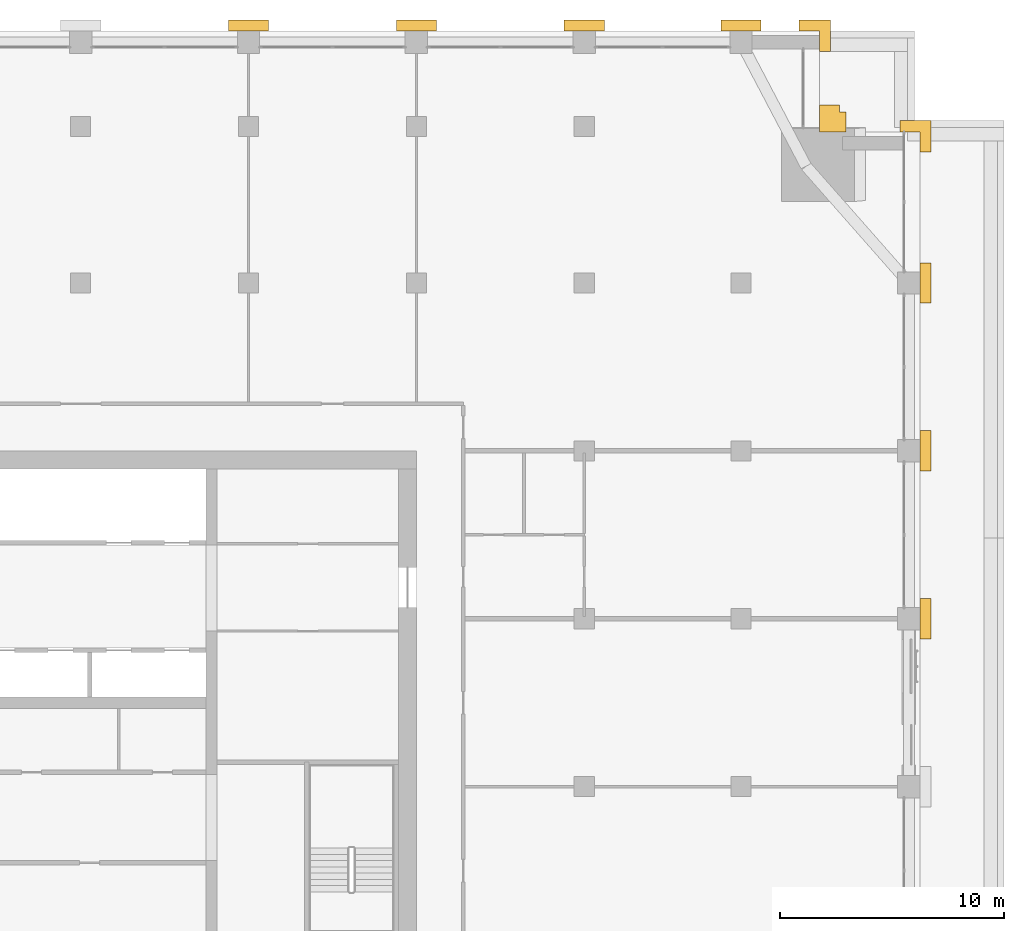
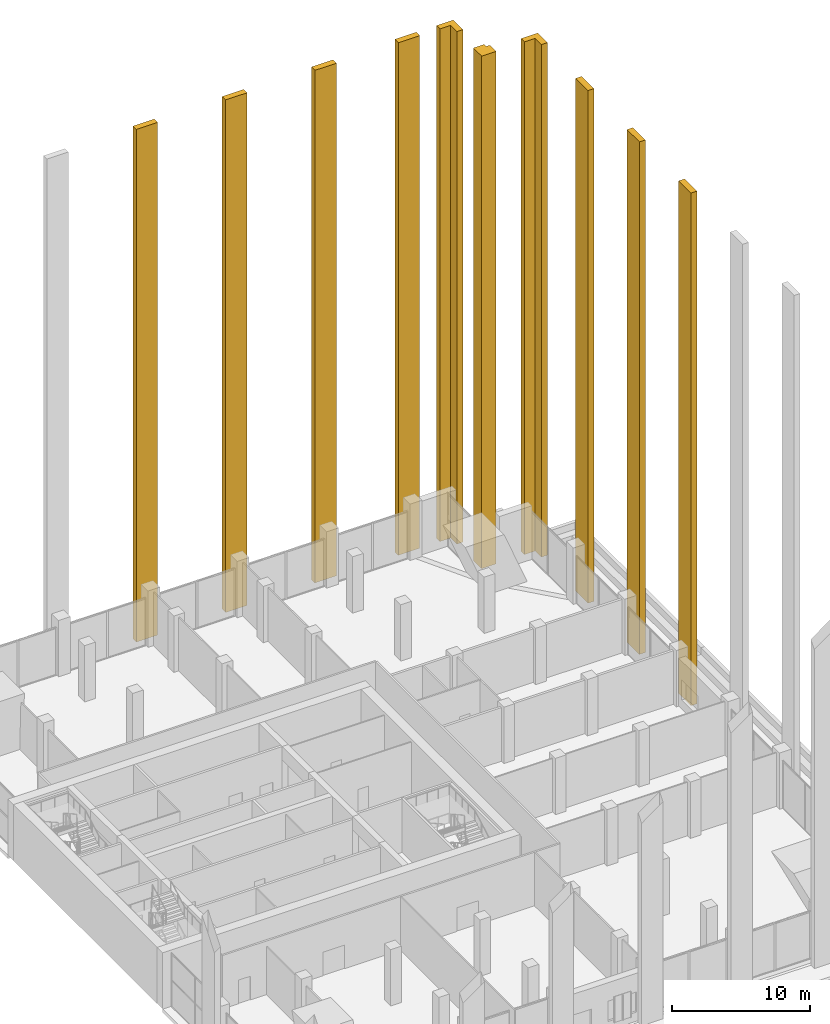
# One storey, part 19 of 19: 10 coverings.
"""IFC4 building model written with IfcOpenShell, lengths in metres."""

from ifc_helpers import new_model, si_unit, direction, frame, origin, place, context, subcontext, project, spatial, polyline, outline, extrude, material, layer, layer_set, type_object, element, save


model = new_model("IFC4")

# Units and contexts
model_context = context("Model", 3, precision=1e-05, world=origin(), true_north=direction((0.0, 1.0)))
body_context = subcontext(model_context, "Body", "Model", "MODEL_VIEW")
ifc_project = project(units=[si_unit("LENGTHUNIT", "METRE"), si_unit("AREAUNIT", "SQUARE_METRE"), si_unit("VOLUMEUNIT", "CUBIC_METRE"), si_unit("PLANEANGLEUNIT", "RADIAN"), si_unit("MASSUNIT", "GRAM", prefix="KILO")], contexts=[model_context])

# Site, building, storey
site_placement = place(None, origin())
site = spatial("IfcSite", under=ifc_project, at=site_placement, CompositionType="ELEMENT")
building_placement = place(site_placement, origin())
building = spatial("IfcBuilding", under=site, at=building_placement, Name="Tamorin Gate", CompositionType="ELEMENT")
storey_placement = place(building_placement, frame((0.0, 0.0, 174.199951171875)))
storey = spatial("IfcBuildingStorey", under=building, at=storey_placement, Name="L42", CompositionType="ELEMENT", Elevation=174.199951171875)

# Coverings
ifc_material = material(Name="Precast concrete C40/50", Category="concrete")
ifc_layer_1 = layer(ifc_material, 0.5)
ifc_layer_set_1 = layer_set([ifc_layer_1], Name="Corner pier cladding 500")
covering_type_1 = type_object("IfcCoveringType", Name="Corner pier cladding 500", PredefinedType="CLADDING", material=ifc_layer_set_1)
covering_1_placement = place(storey_placement, origin())
element("IfcCovering", 1, at=covering_1_placement, inside=storey, type_object=covering_type_1, Name="Corner pier", PredefinedType="CLADDING", context=body_context, shape_type="SweptSolid", body=[
    extrude(outline(polyline([(83.0, 97.25), (83.0, 95.85009765625), (82.5, 95.85009765625), (82.5, 96.75), (81.60009765625, 96.75), (81.60009765625, 97.25), (83.0, 97.25)])), origin(), (0.0, 0.0, 1.0), 45.5),
])
covering_2_placement = place(storey_placement, origin())
element("IfcCovering", 2, at=covering_2_placement, inside=storey, type_object=covering_type_1, Name="Corner pier", PredefinedType="CLADDING", context=body_context, shape_type="SweptSolid", body=[
    extrude(outline(polyline([(78.5, 101.75), (78.5, 100.35009765625), (78.0, 100.35009765625), (78.0, 101.25), (77.10009765625, 101.25), (77.10009765625, 101.75), (78.5, 101.75)])), origin(), (0.0, 0.0, 1.0), 45.5),
])
ifc_layer_2 = layer(ifc_material, 0.89990234375)
ifc_layer_set_2 = layer_set([ifc_layer_2], Name="Corner pier cladding 900")
covering_type_2 = type_object("IfcCoveringType", Name="Corner pier cladding 900", PredefinedType="CLADDING", material=ifc_layer_set_2)
covering_3_placement = place(storey_placement, origin())
element("IfcCovering", 3, at=covering_3_placement, inside=storey, type_object=covering_type_2, Name="Corner pier", PredefinedType="CLADDING", context=body_context, shape_type="SweptSolid", body=[
    extrude(outline(polyline([(78.89990234375, 97.64990234375), (79.199951171875, 97.64990234375), (79.199951171875, 96.75), (78.0, 96.75), (78.0, 97.949951171875), (78.89990234375, 97.949951171875), (78.89990234375, 97.64990234375)])), origin(), (0.0, 0.0, 1.0), 45.5),
])
ifc_layer_3 = layer(ifc_material, 0.5)
ifc_layer_set_3 = layer_set([ifc_layer_3], Name="Precast concrete C40/50")
covering_type_3 = type_object("IfcCoveringType", Name="Precast pier 1800x500", PredefinedType="CLADDING", material=ifc_layer_set_3)
covering_4_placement = place(storey_placement, origin())
element("IfcCovering", 4, at=covering_4_placement, inside=storey, type_object=covering_type_3, Name="Precast pier", PredefinedType="CLADDING", context=body_context, shape_type="SweptSolid", body=[
    extrude(outline(polyline([(53.39990234375, 101.25), (51.60009765625, 101.25), (51.60009765625, 101.75), (53.39990234375, 101.75), (53.39990234375, 101.25)])), origin(), (0.0, 0.0, 1.0), 45.5),
])
covering_5_placement = place(storey_placement, origin())
element("IfcCovering", 5, at=covering_5_placement, inside=storey, type_object=covering_type_3, Name="Precast pier", PredefinedType="CLADDING", context=body_context, shape_type="SweptSolid", body=[
    extrude(outline(polyline([(60.89990234375, 101.25), (59.10009765625, 101.25), (59.10009765625, 101.75), (60.89990234375, 101.75), (60.89990234375, 101.25)])), origin(), (0.0, 0.0, 1.0), 45.5),
])
covering_6_placement = place(storey_placement, origin())
element("IfcCovering", 6, at=covering_6_placement, inside=storey, type_object=covering_type_3, Name="Precast pier", PredefinedType="CLADDING", context=body_context, shape_type="SweptSolid", body=[
    extrude(outline(polyline([(68.39990234375, 101.25), (66.60009765625, 101.25), (66.60009765625, 101.75), (68.39990234375, 101.75), (68.39990234375, 101.25)])), origin(), (0.0, 0.0, 1.0), 45.5),
])
covering_7_placement = place(storey_placement, origin())
element("IfcCovering", 7, at=covering_7_placement, inside=storey, type_object=covering_type_3, Name="Precast pier", PredefinedType="CLADDING", context=body_context, shape_type="SweptSolid", body=[
    extrude(outline(polyline([(75.39990234375, 101.25), (73.60009765625, 101.25), (73.60009765625, 101.75), (75.39990234375, 101.75), (75.39990234375, 101.25)])), origin(), (0.0, 0.0, 1.0), 45.5),
])
covering_8_placement = place(storey_placement, origin())
element("IfcCovering", 8, at=covering_8_placement, inside=storey, type_object=covering_type_3, Name="Precast pier", PredefinedType="CLADDING", context=body_context, shape_type="SweptSolid", body=[
    extrude(outline(polyline([(82.5, 74.10009765625), (82.5, 75.89990234375), (83.0, 75.89990234375), (83.0, 74.10009765625), (82.5, 74.10009765625)])), origin(), (0.0, 0.0, 1.0), 45.5),
])
covering_9_placement = place(storey_placement, origin())
element("IfcCovering", 9, at=covering_9_placement, inside=storey, type_object=covering_type_3, Name="Precast pier", PredefinedType="CLADDING", context=body_context, shape_type="SweptSolid", body=[
    extrude(outline(polyline([(82.5, 81.60009765625), (82.5, 83.39990234375), (83.0, 83.39990234375), (83.0, 81.60009765625), (82.5, 81.60009765625)])), origin(), (0.0, 0.0, 1.0), 45.5),
])
covering_10_placement = place(storey_placement, origin())
element("IfcCovering", 10, at=covering_10_placement, inside=storey, type_object=covering_type_3, Name="Precast pier", PredefinedType="CLADDING", context=body_context, shape_type="SweptSolid", body=[
    extrude(outline(polyline([(82.5, 89.10009765625), (82.5, 90.89990234375), (83.0, 90.89990234375), (83.0, 89.10009765625), (82.5, 89.10009765625)])), origin(), (0.0, 0.0, 1.0), 45.5),
])

save(model, "model.ifc")
